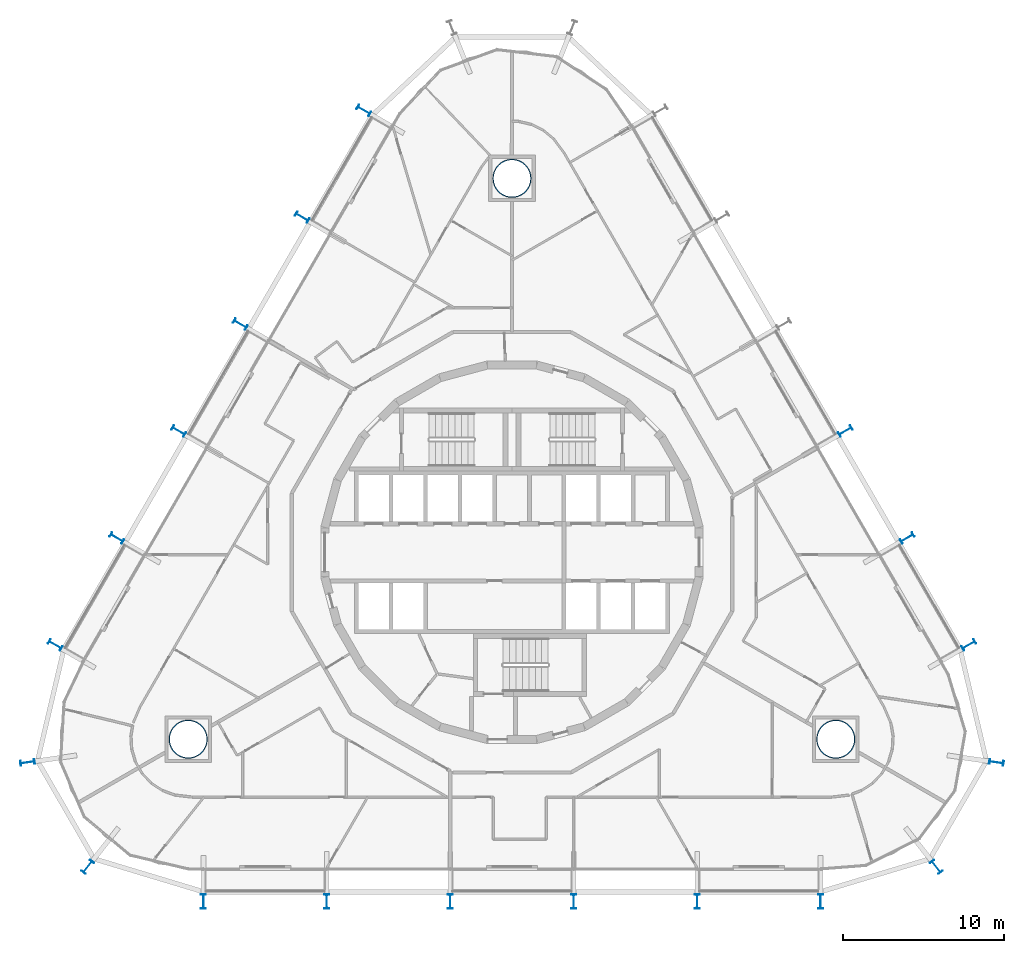
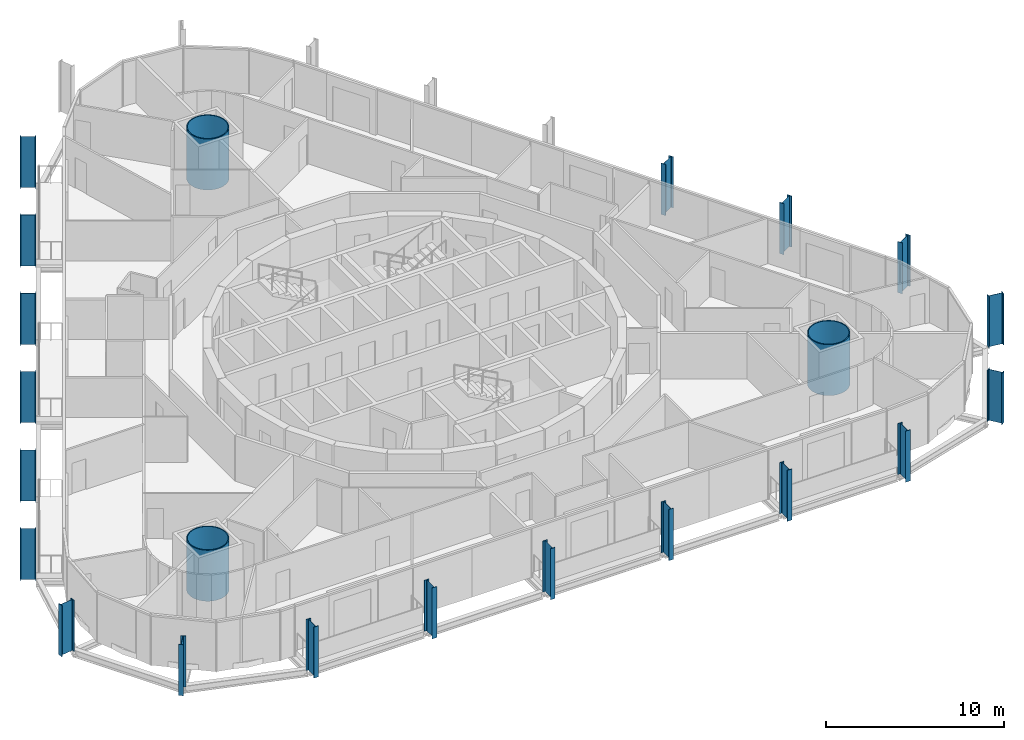
# One storey, part 1 of 20: 22 columns.
"""IFC4 building model written with IfcOpenShell, lengths in metres."""

from ifc_helpers import new_model, si_unit, direction, frame, origin, origin_2d, place, context, subcontext, project, spatial, hollow_circle, i_section, extrude, material, material_profile, profile_set, type_object, element, save


model = new_model("IFC4")

# Units and contexts
model_context = context("Model", 3, precision=1e-05, world=origin(), true_north=direction((0.0, 1.0)))
body_context = subcontext(model_context, "Body", "Model", "MODEL_VIEW")
ifc_project = project(units=[si_unit("LENGTHUNIT", "METRE"), si_unit("AREAUNIT", "SQUARE_METRE"), si_unit("VOLUMEUNIT", "CUBIC_METRE"), si_unit("PLANEANGLEUNIT", "RADIAN"), si_unit("MASSUNIT", "GRAM", prefix="KILO")], contexts=[model_context])

# Site, building, storey
site_placement = place(None, origin())
site = spatial("IfcSite", under=ifc_project, at=site_placement, CompositionType="ELEMENT")
building_placement = place(site_placement, origin())
building = spatial("IfcBuilding", under=site, at=building_placement, Name="Spindle Arch Residences", CompositionType="ELEMENT")
storey_placement = place(building_placement, frame((0.0, 0.0, 41.89990234375)))
storey = spatial("IfcBuildingStorey", under=building, at=storey_placement, Name="L08", CompositionType="ELEMENT", Elevation=41.89990234375)

# Columns
ifc_material_1 = material(Name="Steel S460ML, intumescent coating R 240", Category="steel")
ifc_material_profile_1 = material_profile(ifc_material_1, i_section(OverallWidth=0.300048828125, OverallDepth=0.89990234375, WebThickness=0.0185546875, FlangeThickness=0.034912109375, FilletRadius=0.030029296875, at=origin_2d()), Name="HEB 900")
ifc_profile_set_1 = profile_set([ifc_material_profile_1], Name="Steel S460ML, intumescent coating R 240")
column_type_1 = type_object("IfcColumnType", Name="Exoskeleton post HEB 900", PredefinedType="COLUMN", material=ifc_profile_set_1)
for number, where, z_axis, x_axis, name in (
    (1, (3.840087890625, -21.72998046875, -0.3798828125), (0.0, 0.0, 1.0), (-1.0, 0.0, 0.0), "Exoskeleton post 1"),
    (2, (11.52001953125, -21.72998046875, -0.3798828125), (0.0, 0.0, 1.0), (-1.0, 0.0, 0.0), "Exoskeleton post 2"),
    (3, (19.2001953125, -21.72998046875, -0.3798828125), (0.0, 0.0, 1.0), (-1.0, 0.0, 0.0), "Exoskeleton post 3"),
    (4, (26.3916015625, -19.565185546875, -0.3798828125), (0.0, 0.0, 1.0), (-0.7856835335, -0.618628632693, 0.0), "Exoskeleton post 4"),
    (5, (30.139892578125, -13.0732421875, -0.3798828125), (0.0, 0.0, 1.0), (-0.142906037553, -0.989736260036, 0.0), "Exoskeleton post 5"),
    (6, (28.418701171875, -5.762939453125, -0.3798828125), (0.0, 0.0, 1.0), (0.50000017485, -0.866025302835, 0.0), "Exoskeleton post 6"),
    (7, (24.57861328125, 0.88818359375, -0.3798828125), (0.0, 0.0, 1.0), (0.50000017485, -0.866025302835, 0.0), "Exoskeleton post 7"),
    (8, (20.73876953125, 7.539306640625, -0.3798828125), (0.0, 0.0, 1.0), (0.50000017485, -0.866025302835, 0.0), "Exoskeleton post 8"),
    (9, (-9.218505859375, 27.492919921875, -0.3798828125), (0.0, 0.0, 1.0), (0.50000017485, 0.866025302835, 0.0), "Exoskeleton post 14"),
    (10, (-13.05859375, 20.841796875, -0.3798828125), (0.0, 0.0, 1.0), (0.50000017485, 0.866025302835, 0.0), "Exoskeleton post 15"),
    (11, (-16.898681640625, 14.1904296875, -0.3798828125), (0.0, 0.0, 1.0), (0.50000017485, 0.866025302835, 0.0), "Exoskeleton post 16"),
    (12, (-20.73876953125, 7.539306640625, -0.3798828125), (0.0, 0.0, 1.0), (0.50000017485, 0.866025302835, 0.0), "Exoskeleton post 17"),
    (13, (-24.57861328125, 0.88818359375, -0.3798828125), (0.0, 0.0, 1.0), (0.50000017485, 0.866025302835, 0.0), "Exoskeleton post 18"),
    (14, (-28.418701171875, -5.762939453125, -0.3798828125), (0.0, 0.0, 1.0), (0.50000017485, 0.866025302835, 0.0), "Exoskeleton post 19"),
    (15, (-30.139892578125, -13.0732421875, -0.3798828125), (0.0, 0.0, 1.0), (-0.142906037553, 0.989736260036, 0.0), "Exoskeleton post 20"),
    (16, (-26.3916015625, -19.565185546875, -0.3798828125), (0.0, 0.0, 1.0), (-0.7856835335, 0.618628632693, 0.0), "Exoskeleton post 21"),
    (17, (-19.2001953125, -21.72998046875, -0.3798828125), (0.0, 0.0, 1.0), (-1.0, 0.0, 0.0), "Exoskeleton post 22"),
    (18, (-11.52001953125, -21.72998046875, -0.3798828125), (0.0, 0.0, 1.0), (-1.0, 0.0, 0.0), "Exoskeleton post 23"),
    (19, (-3.840087890625, -21.72998046875, -0.3798828125), (0.0, 0.0, 1.0), (-1.0, 0.0, 0.0), "Exoskeleton post 24"),
):
    element("IfcColumn", number, at=place(storey_placement, frame(where, z_axis=z_axis, x_axis=x_axis)), inside=storey, type_object=column_type_1, Name=name, PredefinedType="COLUMN", context=body_context, shape_type="SweptSolid", body=[
        extrude(i_section(OverallWidth=0.300048828125, OverallDepth=0.89990234375, WebThickness=0.0185546875, FlangeThickness=0.034912109375, FilletRadius=0.030029296875, at=origin_2d()), origin(), (0.0, 0.0, 1.0), 3.5),
    ])
ifc_material_2 = material(Name="Concrete C50/60 filled steel tube S460ML, intumescent coating R 240", Category="concrete")
ifc_material_profile_2 = material_profile(ifc_material_2, hollow_circle(Radius=1.199951171875, WallThickness=0.06005859375, at=origin_2d()), Name="CFT D2400x60")
ifc_profile_set_2 = profile_set([ifc_material_profile_2], Name="Concrete C50/60 filled steel tube S460ML, intumescent coating R 240")
column_type_2 = type_object("IfcColumnType", Name="Mega-column CFT D2400x60", PredefinedType="COLUMN", material=ifc_profile_set_2)
for number, where, z_axis, x_axis, name in (
    (20, (20.1435546875, -11.6298828125, -0.3798828125), (0.0, 0.0, 1.0), (1.0, 0.0, 0.0), "Mega-column 1"),
    (21, (0.0, 23.259765625, -0.3798828125), (0.0, 0.0, 1.0), (1.0, 0.0, 0.0), "Mega-column 2"),
    (22, (-20.1435546875, -11.6298828125, -0.3798828125), (0.0, 0.0, 1.0), (1.0, 0.0, 0.0), "Mega-column 3"),
):
    element("IfcColumn", number, at=place(storey_placement, frame(where, z_axis=z_axis, x_axis=x_axis)), inside=storey, type_object=column_type_2, Name=name, PredefinedType="COLUMN", context=body_context, shape_type="SweptSolid", body=[
        extrude(hollow_circle(Radius=1.199951171875, WallThickness=0.06005859375, at=origin_2d()), origin(), (0.0, 0.0, 1.0), 3.5),
    ])

save(model, "model.ifc")
